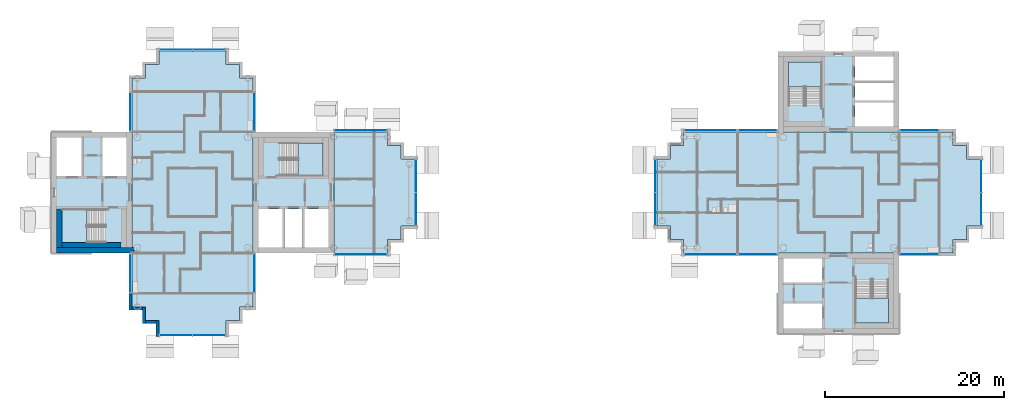
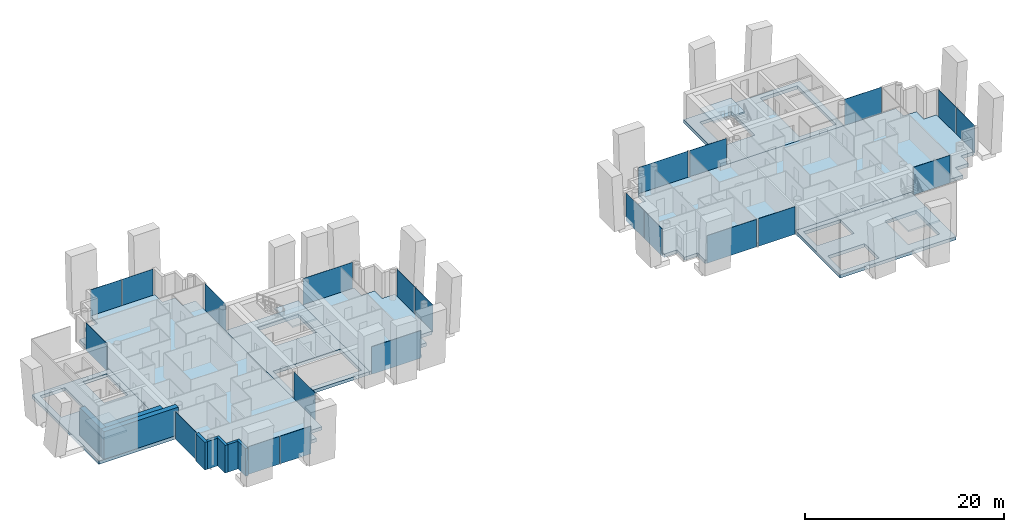
# One storey, part 5 of 18: 22 plates, 11 slabs, 8 walls, 21 elements without a shape of their own.
"""IFC4 building model written with IfcOpenShell, lengths in metres."""

from ifc_helpers import new_model, si_unit, direction, frame, frame_2d, origin, origin_2d, place, context, subcontext, project, spatial, polyline, rectangle, outline, extrude, material, layer, layer_set, type_object, element, aggregate, save


model = new_model("IFC4")

# Units and contexts
model_context = context("Model", 3, precision=1e-05, world=origin(), true_north=direction((0.0, 1.0)))
body_context = subcontext(model_context, "Body", "Model", "MODEL_VIEW")
ifc_project = project(units=[si_unit("LENGTHUNIT", "METRE"), si_unit("AREAUNIT", "SQUARE_METRE"), si_unit("VOLUMEUNIT", "CUBIC_METRE"), si_unit("PLANEANGLEUNIT", "RADIAN"), si_unit("MASSUNIT", "GRAM", prefix="KILO")], contexts=[model_context])

# Site, building, storey
site_placement = place(None, origin())
site = spatial("IfcSite", under=ifc_project, at=site_placement, CompositionType="ELEMENT")
building_placement = place(site_placement, origin())
building = spatial("IfcBuilding", under=site, at=building_placement, Name="Ipe Terrace Towers", CompositionType="ELEMENT")
storey_placement = place(building_placement, frame((0.0, 0.0, 223.199951171875)))
storey = spatial("IfcBuildingStorey", under=building, at=storey_placement, Name="L62", CompositionType="ELEMENT", Elevation=223.199951171875)

# Slabs
ifc_material_1 = material(Name="Concrete C30/37", Category="concrete")
ifc_layer_1 = layer(ifc_material_1, 0.39990234375)
ifc_layer_set_1 = layer_set([ifc_layer_1], Name="CORE FLOOR SLAB 400 C30-37")
slab_type_1 = type_object("IfcSlabType", Name="CORE FLOOR SLAB 400 C30-37", PredefinedType="FLOOR", material=ifc_layer_set_1)
slab_1_placement = place(storey_placement, frame((0.0, 0.0, -0.39990234375)))
element("IfcSlab", 1, at=slab_1_placement, inside=storey, type_object=slab_type_1, Name="Core floor T1-C1", PredefinedType="FLOOR", context=body_context, shape_type="SweptSolid", body=[
    extrude(outline(polyline([(-29.25, -6.75), (-29.25, 6.75), (-20.25, 6.75), (-20.25, -6.75), (-29.25, -6.75)]), holes=[polyline([(-28.64990234375, -6.14990234375), (-20.85009765625, -6.14990234375), (-20.85009765625, -1.85009765625), (-28.64990234375, -1.85009765625), (-28.64990234375, -6.14990234375)]), polyline([(-26.199951171875, 5.550048828125), (-26.199951171875, 1.89990234375), (-21.449951171875, 1.89990234375), (-21.449951171875, 5.550048828125), (-26.199951171875, 5.550048828125)])]), origin(), (0.0, 0.0, 1.0), 0.39990234375),
])
slab_2_placement = place(storey_placement, frame((0.0, 0.0, -0.39990234375)))
element("IfcSlab", 2, at=slab_2_placement, inside=storey, type_object=slab_type_1, Name="Core floor T1-C2", PredefinedType="FLOOR", context=body_context, shape_type="SweptSolid", body=[
    extrude(outline(polyline([(-51.75, -6.75), (-51.75, 6.75), (-42.75, 6.75), (-42.75, -6.75), (-51.75, -6.75)]), holes=[polyline([(-45.800048828125, -1.89990234375), (-50.550048828125, -1.89990234375), (-50.550048828125, -5.550048828125), (-45.800048828125, -5.550048828125), (-45.800048828125, -1.89990234375)]), polyline([(-48.25, 1.85009765625), (-48.25, 6.14990234375), (-51.14990234375, 6.14990234375), (-51.14990234375, 1.85009765625), (-48.25, 1.85009765625)]), polyline([(-43.35009765625, 1.85009765625), (-43.35009765625, 6.14990234375), (-46.14990234375, 6.14990234375), (-46.14990234375, 1.85009765625), (-43.35009765625, 1.85009765625)])]), origin(), (0.0, 0.0, 1.0), 0.39990234375),
])
slab_3_placement = place(storey_placement, frame((0.0, 0.0, -0.39990234375)))
element("IfcSlab", 3, at=slab_3_placement, inside=storey, type_object=slab_type_1, Name="Core floor T2-C1", PredefinedType="FLOOR", context=body_context, shape_type="SweptSolid", body=[
    extrude(outline(polyline([(29.25, 6.75), (29.25, 15.75), (42.75, 15.75), (42.75, 6.75), (29.25, 6.75)]), holes=[polyline([(42.14990234375, 7.35009765625), (42.14990234375, 15.14990234375), (37.85009765625, 15.14990234375), (37.85009765625, 7.35009765625), (42.14990234375, 7.35009765625)]), polyline([(30.449951171875, 9.800048828125), (34.10009765625, 9.800048828125), (34.10009765625, 14.550048828125), (30.449951171875, 14.550048828125), (30.449951171875, 9.800048828125)])]), origin(), (0.0, 0.0, 1.0), 0.39990234375),
])
slab_4_placement = place(storey_placement, frame((0.0, 0.0, -0.39990234375)))
element("IfcSlab", 4, at=slab_4_placement, inside=storey, type_object=slab_type_1, Name="Core floor T2-C2", PredefinedType="FLOOR", context=body_context, shape_type="SweptSolid", body=[
    extrude(outline(polyline([(29.25, -15.75), (29.25, -6.75), (42.75, -6.75), (42.75, -15.75), (29.25, -15.75)]), holes=[polyline([(29.85009765625, -12.25), (29.85009765625, -15.14990234375), (34.14990234375, -15.14990234375), (34.14990234375, -12.25), (29.85009765625, -12.25)]), polyline([(41.550048828125, -9.800048828125), (37.89990234375, -9.800048828125), (37.89990234375, -14.550048828125), (41.550048828125, -14.550048828125), (41.550048828125, -9.800048828125)]), polyline([(34.14990234375, -7.35009765625), (29.85009765625, -7.35009765625), (29.85009765625, -10.14990234375), (34.14990234375, -10.14990234375), (34.14990234375, -7.35009765625)])]), origin(), (0.0, 0.0, 1.0), 0.39990234375),
])

# Stair, slab
ifc_material_2 = material(Name="Concrete C30/37", Category="concrete")
stair_type = type_object("IfcStairType", Name="Protected exit stair", PredefinedType="HALF_TURN_STAIR", material=ifc_material_2)
stair_1_placement = place(storey_placement, origin())
stair_1 = element("IfcStair", 5, at=stair_1_placement, inside=storey, type_object=stair_type, Name="L62 Exit stair T1-C1", PredefinedType="HALF_TURN_STAIR")
ifc_material_3 = material(Name="Concrete C30/37", Category="concrete")
ifc_layer_2 = layer(ifc_material_3, 0.199951171875)
ifc_layer_set_2 = layer_set([ifc_layer_2], Name="Exit stair landing 200")
slab_type_2 = type_object("IfcSlabType", Name="Exit stair landing 200", PredefinedType="LANDING", material=ifc_layer_set_2)
slab_5_placement = place(storey_placement, frame((0.0, 0.0, 1.5)))
slab_5 = element("IfcSlab", 6, at=slab_5_placement, type_object=slab_type_2, Name="T1-ST1 landing 1", PredefinedType="LANDING", context=body_context, shape_type="SweptSolid", body=[
    extrude(outline(polyline([(-24.219970703125, 1.89990234375), (-21.449951171875, 1.89990234375), (-21.449951171875, 5.550048828125), (-24.219970703125, 5.550048828125), (-24.219970703125, 1.89990234375)])), origin(), (0.0, 0.0, 1.0), 0.199951171875),
])
aggregate(stair_1, [slab_5])

stair_2_placement = place(storey_placement, origin())
stair_2 = element("IfcStair", 7, at=stair_2_placement, inside=storey, type_object=stair_type, Name="L62 Exit stair T1-C2", PredefinedType="HALF_TURN_STAIR")
slab_6_placement = place(storey_placement, frame((0.0, 0.0, 1.5)))
slab_6 = element("IfcSlab", 8, at=slab_6_placement, type_object=slab_type_2, Name="T1-ST2 landing 1", PredefinedType="LANDING", context=body_context, shape_type="SweptSolid", body=[
    extrude(outline(polyline([(-47.780029296875, -1.89990234375), (-50.550048828125, -1.89990234375), (-50.550048828125, -5.550048828125), (-47.780029296875, -5.550048828125), (-47.780029296875, -1.89990234375)])), origin(), (0.0, 0.0, 1.0), 0.199951171875),
])
aggregate(stair_2, [slab_6])

stair_3_placement = place(storey_placement, origin())
stair_3 = element("IfcStair", 9, at=stair_3_placement, inside=storey, type_object=stair_type, Name="L62 Exit stair T2-C1", PredefinedType="HALF_TURN_STAIR")
slab_7_placement = place(storey_placement, frame((0.0, 0.0, 1.5)))
slab_7 = element("IfcSlab", 10, at=slab_7_placement, type_object=slab_type_2, Name="T2-ST1 landing 1", PredefinedType="LANDING", context=body_context, shape_type="SweptSolid", body=[
    extrude(outline(polyline([(34.10009765625, 11.780029296875), (34.10009765625, 14.550048828125), (30.449951171875, 14.550048828125), (30.449951171875, 11.780029296875), (34.10009765625, 11.780029296875)])), origin(), (0.0, 0.0, 1.0), 0.199951171875),
])
aggregate(stair_3, [slab_7])

stair_4_placement = place(storey_placement, origin())
stair_4 = element("IfcStair", 11, at=stair_4_placement, inside=storey, type_object=stair_type, Name="L62 Exit stair T2-C2", PredefinedType="HALF_TURN_STAIR")
slab_8_placement = place(storey_placement, frame((0.0, 0.0, 1.5)))
slab_8 = element("IfcSlab", 12, at=slab_8_placement, type_object=slab_type_2, Name="T2-ST2 landing 1", PredefinedType="LANDING", context=body_context, shape_type="SweptSolid", body=[
    extrude(outline(polyline([(37.89990234375, -11.780029296875), (37.89990234375, -14.550048828125), (41.550048828125, -14.550048828125), (41.550048828125, -11.780029296875), (37.89990234375, -11.780029296875)])), origin(), (0.0, 0.0, 1.0), 0.199951171875),
])
aggregate(stair_4, [slab_8])

# Slabs
ifc_material_4 = material(Name="Concrete C40/50", Category="concrete")
ifc_layer_3 = layer(ifc_material_4, 0.39990234375)
ifc_layer_set_3 = layer_set([ifc_layer_3], Name="FLAT PLATE SLAB 400 C40-50")
slab_type_3 = type_object("IfcSlabType", Name="FLAT PLATE SLAB 400 C40-50", PredefinedType="FLOOR", material=ifc_layer_set_3)
slab_9_placement = place(storey_placement, frame((0.0, 0.0, -0.39990234375)))
element("IfcSlab", 13, at=slab_9_placement, inside=storey, type_object=slab_type_3, Name="Slab T1-FS-Z41", PredefinedType="FLOOR", context=body_context, shape_type="SweptSolid", body=[
    extrude(outline(polyline([(-30.75, -12.75), (-30.75, -14.25), (-32.25, -14.25), (-32.25, -15.75), (-39.75, -15.75), (-39.75, -14.25), (-41.25, -14.25), (-41.25, -12.75), (-42.75, -12.75), (-42.75, -6.75), (-42.75, 6.75), (-42.75, 12.75), (-41.25, 12.75), (-41.25, 14.25), (-39.75, 14.25), (-39.75, 15.75), (-32.25, 15.75), (-32.25, 14.25), (-30.75, 14.25), (-30.75, 12.75), (-29.25, 12.75), (-29.25, 6.75), (-29.25, -6.75), (-29.25, -12.75), (-30.75, -12.75)])), origin(), (0.0, 0.0, 1.0), 0.39990234375),
])
slab_10_placement = place(storey_placement, frame((0.0, 0.0, -0.39990234375)))
element("IfcSlab", 14, at=slab_10_placement, inside=storey, type_object=slab_type_3, Name="Slab T1-FS-Z42", PredefinedType="FLOOR", context=body_context, shape_type="SweptSolid", body=[
    extrude(outline(polyline([(-14.25, 5.25), (-12.75, 5.25), (-12.75, 3.75), (-11.25, 3.75), (-11.25, -3.75), (-12.75, -3.75), (-12.75, -5.25), (-14.25, -5.25), (-14.25, -6.75), (-20.25, -6.75), (-20.25, 6.75), (-14.25, 6.75), (-14.25, 5.25)])), origin(), (0.0, 0.0, 1.0), 0.39990234375),
])
slab_11_placement = place(storey_placement, frame((0.0, 0.0, -0.39990234375)))
element("IfcSlab", 15, at=slab_11_placement, inside=storey, type_object=slab_type_3, Name="Slab T2-FS-Z41", PredefinedType="FLOOR", context=body_context, shape_type="SweptSolid", body=[
    extrude(outline(polyline([(48.75, 5.25), (50.25, 5.25), (50.25, 3.75), (51.75, 3.75), (51.75, -3.75), (50.25, -3.75), (50.25, -5.25), (48.75, -5.25), (48.75, -6.75), (42.75, -6.75), (29.25, -6.75), (18.75, -6.75), (18.75, -5.25), (17.25, -5.25), (17.25, -3.75), (15.75, -3.75), (15.75, 3.75), (17.25, 3.75), (17.25, 5.25), (18.75, 5.25), (18.75, 6.75), (29.25, 6.75), (42.75, 6.75), (48.75, 6.75), (48.75, 5.25)])), origin(), (0.0, 0.0, 1.0), 0.39990234375),
])

# Curtain wall, plate
ifc_material_5 = material(Name="Aluminium alloy 6063-T6", Category="aluminium")
ifc_layer_4 = layer(ifc_material_5, 0.320068359375)
ifc_layer_set_4 = layer_set([ifc_layer_4], Name="TOWER UNITISED CURTAIN WALL")
curtain_wall_type = type_object("IfcCurtainWallType", Name="TOWER UNITISED CURTAIN WALL", PredefinedType="NOTDEFINED", material=ifc_layer_set_4)
curtain_wall_1_placement = place(storey_placement, origin())
curtain_wall_1 = element("IfcCurtainWall", 16, at=curtain_wall_1_placement, inside=storey, type_object=curtain_wall_type, Name="T1-CW-L62-02a curtain wall", PredefinedType="NOTDEFINED")
ifc_material_6 = material(Name="Glass, clear laminated", Category="glass")
ifc_layer_5 = layer(ifc_material_6, 0.031982421875)
ifc_layer_set_5 = layer_set([ifc_layer_5], Name="TOWER UNITISED GLASS PANEL 32")
plate_type = type_object("IfcPlateType", Name="TOWER UNITISED GLASS PANEL 32", PredefinedType="CURTAIN_PANEL", material=ifc_layer_set_5)
plate_1_placement = place(storey_placement, frame((-42.909912109375, -9.0, -0.2998046875), z_axis=(0.0, 0.0, 1.0), x_axis=(0.0, -1.0, 0.0)))
plate_1 = element("IfcPlate", 17, at=plate_1_placement, type_object=plate_type, Name="T1-CW-L62-02a panel 1", PredefinedType="CURTAIN_PANEL", context=body_context, shape_type="SweptSolid", body=[
    extrude(rectangle(XDim=4.260009765625, YDim=0.031982421875, at=origin_2d()), origin(), (0.0, 0.0, 1.0), 3.39990234375),
])
aggregate(curtain_wall_1, [plate_1])

# Curtain wall, plates
curtain_wall_2_placement = place(storey_placement, origin())
curtain_wall_2 = element("IfcCurtainWall", 18, at=curtain_wall_2_placement, inside=storey, type_object=curtain_wall_type, Name="T1-CW-L62-08a curtain wall", PredefinedType="NOTDEFINED")
plate_2_placement = place(storey_placement, frame((-37.831298828125, -15.909912109375, -0.2998046875), z_axis=(0.0, 0.0, 1.0), x_axis=(1.0, 0.0, 0.0)))
plate_2 = element("IfcPlate", 19, at=plate_2_placement, type_object=plate_type, Name="T1-CW-L62-08a panel 1", PredefinedType="CURTAIN_PANEL", context=body_context, shape_type="SweptSolid", body=[
    extrude(rectangle(XDim=3.597412109375, YDim=0.031982421875, at=origin_2d()), origin(), (0.0, 0.0, 1.0), 3.39990234375),
])
plate_3_placement = place(storey_placement, frame((-34.168701171875, -15.909912109375, -0.2998046875), z_axis=(0.0, 0.0, 1.0), x_axis=(1.0, 0.0, 0.0)))
plate_3 = element("IfcPlate", 20, at=plate_3_placement, type_object=plate_type, Name="T1-CW-L62-08a panel 2", PredefinedType="CURTAIN_PANEL", context=body_context, shape_type="SweptSolid", body=[
    extrude(rectangle(XDim=3.597412109375, YDim=0.031982421875, at=origin_2d()), origin(), (0.0, 0.0, 1.0), 3.39990234375),
])
aggregate(curtain_wall_2, [plate_2, plate_3])

# Curtain wall, plate
curtain_wall_3_placement = place(storey_placement, origin())
curtain_wall_3 = element("IfcCurtainWall", 21, at=curtain_wall_3_placement, inside=storey, type_object=curtain_wall_type, Name="T1-CW-L62-14a curtain wall", PredefinedType="NOTDEFINED")
plate_4_placement = place(storey_placement, frame((-29.090087890625, -9.0, -0.2998046875), z_axis=(0.0, 0.0, 1.0), x_axis=(0.0, 1.0, 0.0)))
plate_4 = element("IfcPlate", 22, at=plate_4_placement, type_object=plate_type, Name="T1-CW-L62-14a panel 1", PredefinedType="CURTAIN_PANEL", context=body_context, shape_type="SweptSolid", body=[
    extrude(rectangle(XDim=4.260009765625, YDim=0.031982421875, at=origin_2d()), origin(), (0.0, 0.0, 1.0), 3.39990234375),
])
aggregate(curtain_wall_3, [plate_4])

curtain_wall_4_placement = place(storey_placement, origin())
curtain_wall_4 = element("IfcCurtainWall", 23, at=curtain_wall_4_placement, inside=storey, type_object=curtain_wall_type, Name="T1-CW-L62-16b curtain wall", PredefinedType="NOTDEFINED")
plate_5_placement = place(storey_placement, frame((-17.24951171875, -6.909912109375, -0.2998046875), z_axis=(0.0, 0.0, 1.0), x_axis=(1.0, 0.0, 0.0)))
plate_5 = element("IfcPlate", 24, at=plate_5_placement, type_object=plate_type, Name="T1-CW-L62-16b panel 1", PredefinedType="CURTAIN_PANEL", context=body_context, shape_type="SweptSolid", body=[
    extrude(rectangle(XDim=5.759033203125, YDim=0.031982421875, at=origin_2d()), origin(), (0.0, 0.0, 1.0), 3.39990234375),
])
aggregate(curtain_wall_4, [plate_5])

# Curtain wall, plates
curtain_wall_5_placement = place(storey_placement, origin())
curtain_wall_5 = element("IfcCurtainWall", 25, at=curtain_wall_5_placement, inside=storey, type_object=curtain_wall_type, Name="T1-CW-L62-21a curtain wall", PredefinedType="NOTDEFINED")
plate_6_placement = place(storey_placement, frame((-11.090087890625, -1.831298828125, -0.2998046875), z_axis=(0.0, 0.0, 1.0), x_axis=(0.0, 1.0, 0.0)))
plate_6 = element("IfcPlate", 26, at=plate_6_placement, type_object=plate_type, Name="T1-CW-L62-21a panel 1", PredefinedType="CURTAIN_PANEL", context=body_context, shape_type="SweptSolid", body=[
    extrude(rectangle(XDim=3.597412109375, YDim=0.031982421875, at=origin_2d()), origin(), (0.0, 0.0, 1.0), 3.39990234375),
])
plate_7_placement = place(storey_placement, frame((-11.090087890625, 1.831298828125, -0.2998046875), z_axis=(0.0, 0.0, 1.0), x_axis=(0.0, 1.0, 0.0)))
plate_7 = element("IfcPlate", 27, at=plate_7_placement, type_object=plate_type, Name="T1-CW-L62-21a panel 2", PredefinedType="CURTAIN_PANEL", context=body_context, shape_type="SweptSolid", body=[
    extrude(rectangle(XDim=3.597412109375, YDim=0.031982421875, at=origin_2d()), origin(), (0.0, 0.0, 1.0), 3.39990234375),
])
aggregate(curtain_wall_5, [plate_6, plate_7])

# Curtain wall, plate
curtain_wall_6_placement = place(storey_placement, origin())
curtain_wall_6 = element("IfcCurtainWall", 28, at=curtain_wall_6_placement, inside=storey, type_object=curtain_wall_type, Name="T1-CW-L62-26a curtain wall", PredefinedType="NOTDEFINED")
plate_8_placement = place(storey_placement, frame((-17.24951171875, 6.909912109375, -0.2998046875), z_axis=(0.0, 0.0, 1.0), x_axis=(-1.0, 0.0, 0.0)))
plate_8 = element("IfcPlate", 29, at=plate_8_placement, type_object=plate_type, Name="T1-CW-L62-26a panel 1", PredefinedType="CURTAIN_PANEL", context=body_context, shape_type="SweptSolid", body=[
    extrude(rectangle(XDim=5.759033203125, YDim=0.031982421875, at=origin_2d()), origin(), (0.0, 0.0, 1.0), 3.39990234375),
])
aggregate(curtain_wall_6, [plate_8])

curtain_wall_7_placement = place(storey_placement, origin())
curtain_wall_7 = element("IfcCurtainWall", 30, at=curtain_wall_7_placement, inside=storey, type_object=curtain_wall_type, Name="T1-CW-L62-28a curtain wall", PredefinedType="NOTDEFINED")
plate_9_placement = place(storey_placement, frame((-29.090087890625, 9.0, -0.2998046875), z_axis=(0.0, 0.0, 1.0), x_axis=(0.0, 1.0, 0.0)))
plate_9 = element("IfcPlate", 31, at=plate_9_placement, type_object=plate_type, Name="T1-CW-L62-28a panel 1", PredefinedType="CURTAIN_PANEL", context=body_context, shape_type="SweptSolid", body=[
    extrude(rectangle(XDim=4.260009765625, YDim=0.031982421875, at=origin_2d()), origin(), (0.0, 0.0, 1.0), 3.39990234375),
])
aggregate(curtain_wall_7, [plate_9])

# Curtain wall, plates
curtain_wall_8_placement = place(storey_placement, origin())
curtain_wall_8 = element("IfcCurtainWall", 32, at=curtain_wall_8_placement, inside=storey, type_object=curtain_wall_type, Name="T1-CW-L62-34a curtain wall", PredefinedType="NOTDEFINED")
plate_10_placement = place(storey_placement, frame((-34.168701171875, 15.909912109375, -0.2998046875), z_axis=(0.0, 0.0, 1.0), x_axis=(-1.0, 0.0, 0.0)))
plate_10 = element("IfcPlate", 33, at=plate_10_placement, type_object=plate_type, Name="T1-CW-L62-34a panel 1", PredefinedType="CURTAIN_PANEL", context=body_context, shape_type="SweptSolid", body=[
    extrude(rectangle(XDim=3.597412109375, YDim=0.031982421875, at=origin_2d()), origin(), (0.0, 0.0, 1.0), 3.39990234375),
])
plate_11_placement = place(storey_placement, frame((-37.831298828125, 15.909912109375, -0.2998046875), z_axis=(0.0, 0.0, 1.0), x_axis=(-1.0, 0.0, 0.0)))
plate_11 = element("IfcPlate", 34, at=plate_11_placement, type_object=plate_type, Name="T1-CW-L62-34a panel 2", PredefinedType="CURTAIN_PANEL", context=body_context, shape_type="SweptSolid", body=[
    extrude(rectangle(XDim=3.597412109375, YDim=0.031982421875, at=origin_2d()), origin(), (0.0, 0.0, 1.0), 3.39990234375),
])
aggregate(curtain_wall_8, [plate_10, plate_11])

# Curtain wall, plate
curtain_wall_9_placement = place(storey_placement, origin())
curtain_wall_9 = element("IfcCurtainWall", 35, at=curtain_wall_9_placement, inside=storey, type_object=curtain_wall_type, Name="T1-CW-L62-40a curtain wall", PredefinedType="NOTDEFINED")
plate_12_placement = place(storey_placement, frame((-42.909912109375, 9.0, -0.2998046875), z_axis=(0.0, 0.0, 1.0), x_axis=(0.0, -1.0, 0.0)))
plate_12 = element("IfcPlate", 36, at=plate_12_placement, type_object=plate_type, Name="T1-CW-L62-40a panel 1", PredefinedType="CURTAIN_PANEL", context=body_context, shape_type="SweptSolid", body=[
    extrude(rectangle(XDim=4.260009765625, YDim=0.031982421875, at=origin_2d()), origin(), (0.0, 0.0, 1.0), 3.39990234375),
])
aggregate(curtain_wall_9, [plate_12])

curtain_wall_10_placement = place(storey_placement, origin())
curtain_wall_10 = element("IfcCurtainWall", 37, at=curtain_wall_10_placement, inside=storey, type_object=curtain_wall_type, Name="T2-CW-L62-02a curtain wall", PredefinedType="NOTDEFINED")
plate_13_placement = place(storey_placement, frame((45.0, -6.909912109375, -0.2998046875), z_axis=(0.0, 0.0, 1.0), x_axis=(1.0, 0.0, 0.0)))
plate_13 = element("IfcPlate", 38, at=plate_13_placement, type_object=plate_type, Name="T2-CW-L62-02a panel 1", PredefinedType="CURTAIN_PANEL", context=body_context, shape_type="SweptSolid", body=[
    extrude(rectangle(XDim=4.260009765625, YDim=0.031982421875, at=origin_2d()), origin(), (0.0, 0.0, 1.0), 3.39990234375),
])
aggregate(curtain_wall_10, [plate_13])

# Curtain wall, plates
curtain_wall_11_placement = place(storey_placement, origin())
curtain_wall_11 = element("IfcCurtainWall", 39, at=curtain_wall_11_placement, inside=storey, type_object=curtain_wall_type, Name="T2-CW-L62-08a curtain wall", PredefinedType="NOTDEFINED")
plate_14_placement = place(storey_placement, frame((51.909912109375, -1.831298828125, -0.2998046875), z_axis=(0.0, 0.0, 1.0), x_axis=(0.0, 1.0, 0.0)))
plate_14 = element("IfcPlate", 40, at=plate_14_placement, type_object=plate_type, Name="T2-CW-L62-08a panel 1", PredefinedType="CURTAIN_PANEL", context=body_context, shape_type="SweptSolid", body=[
    extrude(rectangle(XDim=3.597412109375, YDim=0.031982421875, at=origin_2d()), origin(), (0.0, 0.0, 1.0), 3.39990234375),
])
plate_15_placement = place(storey_placement, frame((51.909912109375, 1.831298828125, -0.2998046875), z_axis=(0.0, 0.0, 1.0), x_axis=(0.0, 1.0, 0.0)))
plate_15 = element("IfcPlate", 41, at=plate_15_placement, type_object=plate_type, Name="T2-CW-L62-08a panel 2", PredefinedType="CURTAIN_PANEL", context=body_context, shape_type="SweptSolid", body=[
    extrude(rectangle(XDim=3.597412109375, YDim=0.031982421875, at=origin_2d()), origin(), (0.0, 0.0, 1.0), 3.39990234375),
])
aggregate(curtain_wall_11, [plate_14, plate_15])

# Curtain wall, plate
curtain_wall_12_placement = place(storey_placement, origin())
curtain_wall_12 = element("IfcCurtainWall", 42, at=curtain_wall_12_placement, inside=storey, type_object=curtain_wall_type, Name="T2-CW-L62-14a curtain wall", PredefinedType="NOTDEFINED")
plate_16_placement = place(storey_placement, frame((45.0, 6.909912109375, -0.2998046875), z_axis=(0.0, 0.0, 1.0), x_axis=(-1.0, 0.0, 0.0)))
plate_16 = element("IfcPlate", 43, at=plate_16_placement, type_object=plate_type, Name="T2-CW-L62-14a panel 1", PredefinedType="CURTAIN_PANEL", context=body_context, shape_type="SweptSolid", body=[
    extrude(rectangle(XDim=4.260009765625, YDim=0.031982421875, at=origin_2d()), origin(), (0.0, 0.0, 1.0), 3.39990234375),
])
aggregate(curtain_wall_12, [plate_16])

curtain_wall_13_placement = place(storey_placement, origin())
curtain_wall_13 = element("IfcCurtainWall", 44, at=curtain_wall_13_placement, inside=storey, type_object=curtain_wall_type, Name="T2-CW-L62-20a curtain wall", PredefinedType="NOTDEFINED")
plate_17_placement = place(storey_placement, frame((27.0, 6.909912109375, -0.2998046875), z_axis=(0.0, 0.0, 1.0), x_axis=(-1.0, 0.0, 0.0)))
plate_17 = element("IfcPlate", 45, at=plate_17_placement, type_object=plate_type, Name="T2-CW-L62-20a panel 1", PredefinedType="CURTAIN_PANEL", context=body_context, shape_type="SweptSolid", body=[
    extrude(rectangle(XDim=4.260009765625, YDim=0.031982421875, at=origin_2d()), origin(), (0.0, 0.0, 1.0), 3.39990234375),
])
aggregate(curtain_wall_13, [plate_17])

curtain_wall_14_placement = place(storey_placement, origin())
curtain_wall_14 = element("IfcCurtainWall", 46, at=curtain_wall_14_placement, inside=storey, type_object=curtain_wall_type, Name="T2-CW-L62-21a curtain wall", PredefinedType="NOTDEFINED")
plate_18_placement = place(storey_placement, frame((21.75, 6.909912109375, -0.2998046875), z_axis=(0.0, 0.0, 1.0), x_axis=(-1.0, 0.0, 0.0)))
plate_18 = element("IfcPlate", 47, at=plate_18_placement, type_object=plate_type, Name="T2-CW-L62-21a panel 1", PredefinedType="CURTAIN_PANEL", context=body_context, shape_type="SweptSolid", body=[
    extrude(rectangle(XDim=5.760009765625, YDim=0.031982421875, at=origin_2d()), origin(), (0.0, 0.0, 1.0), 3.39990234375),
])
aggregate(curtain_wall_14, [plate_18])

# Curtain wall, plates
curtain_wall_15_placement = place(storey_placement, origin())
curtain_wall_15 = element("IfcCurtainWall", 48, at=curtain_wall_15_placement, inside=storey, type_object=curtain_wall_type, Name="T2-CW-L62-26a curtain wall", PredefinedType="NOTDEFINED")
plate_19_placement = place(storey_placement, frame((15.590087890625, 1.831298828125, -0.2998046875), z_axis=(0.0, 0.0, 1.0), x_axis=(0.0, -1.0, 0.0)))
plate_19 = element("IfcPlate", 49, at=plate_19_placement, type_object=plate_type, Name="T2-CW-L62-26a panel 1", PredefinedType="CURTAIN_PANEL", context=body_context, shape_type="SweptSolid", body=[
    extrude(rectangle(XDim=3.597412109375, YDim=0.031982421875, at=origin_2d()), origin(), (0.0, 0.0, 1.0), 3.39990234375),
])
plate_20_placement = place(storey_placement, frame((15.590087890625, -1.831298828125, -0.2998046875), z_axis=(0.0, 0.0, 1.0), x_axis=(0.0, -1.0, 0.0)))
plate_20 = element("IfcPlate", 50, at=plate_20_placement, type_object=plate_type, Name="T2-CW-L62-26a panel 2", PredefinedType="CURTAIN_PANEL", context=body_context, shape_type="SweptSolid", body=[
    extrude(rectangle(XDim=3.597412109375, YDim=0.031982421875, at=origin_2d()), origin(), (0.0, 0.0, 1.0), 3.39990234375),
])
aggregate(curtain_wall_15, [plate_19, plate_20])

# Curtain wall, plate
curtain_wall_16_placement = place(storey_placement, origin())
curtain_wall_16 = element("IfcCurtainWall", 51, at=curtain_wall_16_placement, inside=storey, type_object=curtain_wall_type, Name="T2-CW-L62-31a curtain wall", PredefinedType="NOTDEFINED")
plate_21_placement = place(storey_placement, frame((21.75, -6.909912109375, -0.2998046875), z_axis=(0.0, 0.0, 1.0), x_axis=(1.0, 0.0, 0.0)))
plate_21 = element("IfcPlate", 52, at=plate_21_placement, type_object=plate_type, Name="T2-CW-L62-31a panel 1", PredefinedType="CURTAIN_PANEL", context=body_context, shape_type="SweptSolid", body=[
    extrude(rectangle(XDim=5.760009765625, YDim=0.031982421875, at=origin_2d()), origin(), (0.0, 0.0, 1.0), 3.39990234375),
])
aggregate(curtain_wall_16, [plate_21])

curtain_wall_17_placement = place(storey_placement, origin())
curtain_wall_17 = element("IfcCurtainWall", 53, at=curtain_wall_17_placement, inside=storey, type_object=curtain_wall_type, Name="T2-CW-L62-32a curtain wall", PredefinedType="NOTDEFINED")
plate_22_placement = place(storey_placement, frame((27.0, -6.909912109375, -0.2998046875), z_axis=(0.0, 0.0, 1.0), x_axis=(1.0, 0.0, 0.0)))
plate_22 = element("IfcPlate", 54, at=plate_22_placement, type_object=plate_type, Name="T2-CW-L62-32a panel 1", PredefinedType="CURTAIN_PANEL", context=body_context, shape_type="SweptSolid", body=[
    extrude(rectangle(XDim=4.260009765625, YDim=0.031982421875, at=origin_2d()), origin(), (0.0, 0.0, 1.0), 3.39990234375),
])
aggregate(curtain_wall_17, [plate_22])

# Walls
ifc_material_7 = material(Name="Concrete C40/50 with buff precast cladding", Category="concrete")
ifc_layer_6 = layer(ifc_material_7, 0.320068359375)
ifc_layer_set_6 = layer_set([ifc_layer_6], Name="BUFF CLADDING WALL 320")
wall_type_1 = type_object("IfcWallType", Name="BUFF CLADDING WALL 320", PredefinedType="STANDARD", material=ifc_layer_set_6)
wall_1_placement = place(storey_placement, frame((-42.909912109375, -11.25, -0.300048828125), z_axis=(0.0, 0.0, 1.0), x_axis=(0.0, -1.0, 0.0)))
element("IfcWall", 55, at=wall_1_placement, inside=storey, type_object=wall_type_1, Name="T1-W-L62-03a wall", PredefinedType="STANDARD", context=body_context, shape_type="SweptSolid", body=[
    extrude(rectangle(XDim=1.820068359375, YDim=0.320068359375, at=frame_2d((0.91015625, 0.0))), origin(), (0.0, 0.0, 1.0), 3.400146484375),
])
wall_2_placement = place(storey_placement, frame((-42.75, -12.909912109375, -0.300048828125), z_axis=(0.0, 0.0, 1.0), x_axis=(1.0, 0.0, 0.0)))
element("IfcWall", 56, at=wall_2_placement, inside=storey, type_object=wall_type_1, Name="T1-W-L62-04a wall", PredefinedType="STANDARD", context=body_context, shape_type="SweptSolid", body=[
    extrude(rectangle(XDim=1.179931640625, YDim=0.320068359375, at=frame_2d((0.58984375, 0.0))), origin(), (0.0, 0.0, 1.0), 3.400146484375),
])
wall_3_placement = place(storey_placement, frame((-41.409912109375, -12.75, -0.300048828125), z_axis=(0.0, 0.0, 1.0), x_axis=(0.0, -1.0, 0.0)))
element("IfcWall", 57, at=wall_3_placement, inside=storey, type_object=wall_type_1, Name="T1-W-L62-05a wall", PredefinedType="STANDARD", context=body_context, shape_type="SweptSolid", body=[
    extrude(rectangle(XDim=1.820068359375, YDim=0.320068359375, at=frame_2d((0.91015625, 0.0))), origin(), (0.0, 0.0, 1.0), 3.400146484375),
])
wall_4_placement = place(storey_placement, frame((-41.25, -14.409912109375, -0.300048828125), z_axis=(0.0, 0.0, 1.0), x_axis=(1.0, 0.0, 0.0)))
element("IfcWall", 58, at=wall_4_placement, inside=storey, type_object=wall_type_1, Name="T1-W-L62-06a wall", PredefinedType="STANDARD", context=body_context, shape_type="SweptSolid", body=[
    extrude(rectangle(XDim=1.179931640625, YDim=0.320068359375, at=frame_2d((0.58984375, 0.0))), origin(), (0.0, 0.0, 1.0), 3.400146484375),
])
wall_5_placement = place(storey_placement, frame((-39.909912109375, -14.25, -0.300048828125), z_axis=(0.0, 0.0, 1.0), x_axis=(0.0, -1.0, 0.0)))
element("IfcWall", 59, at=wall_5_placement, inside=storey, type_object=wall_type_1, Name="T1-W-L62-07a wall", PredefinedType="STANDARD", context=body_context, shape_type="SweptSolid", body=[
    extrude(rectangle(XDim=1.820068359375, YDim=0.320068359375, at=frame_2d((0.91015625, 0.0))), origin(), (0.0, 0.0, 1.0), 3.400146484375),
])
ifc_material_8 = material(Name="Concrete C40/50", Category="concrete")
ifc_layer_7 = layer(ifc_material_8, 0.60009765625)
ifc_layer_set_7 = layer_set([ifc_layer_7], Name="RW600 CORE INFILL WALL 600 C40-50")
wall_type_2 = type_object("IfcWallType", Name="RW600 CORE INFILL WALL 600 C40-50", PredefinedType="SHEAR", material=ifc_layer_set_7)
wall_6_placement = place(storey_placement, frame((-50.85009765625, -1.85009765625, 0.0), z_axis=(0.0, 0.0, 1.0), x_axis=(0.0, -1.0, 0.0)))
element("IfcWall", 60, at=wall_6_placement, inside=storey, type_object=wall_type_2, Name="Core infill wall T1-C2-far", PredefinedType="SHEAR", context=body_context, shape_type="SweptSolid", body=[
    extrude(rectangle(XDim=4.2998046875, YDim=0.60009765625, at=frame_2d((2.14990234375, 0.0))), origin(), (0.0, 0.0, 1.0), 3.400146484375),
])
wall_7_placement = place(storey_placement, frame((-43.949951171875, -5.85009765625, 0.0), z_axis=(0.0, 0.0, 1.0), x_axis=(-1.0, 0.0, 0.0)))
element("IfcWall", 61, at=wall_7_placement, inside=storey, type_object=wall_type_2, Name="Core infill wall T1-C2-back", PredefinedType="SHEAR", context=body_context, shape_type="SweptSolid", body=[
    extrude(rectangle(XDim=6.60009765625, YDim=0.60009765625, at=frame_2d((3.300048828125, 0.0))), origin(), (0.0, 0.0, 1.0), 3.400146484375),
])
ifc_material_9 = material(Name="Concrete C40/50", Category="concrete")
ifc_layer_8 = layer(ifc_material_9, 0.60009765625)
ifc_layer_set_8 = layer_set([ifc_layer_8], Name="RW600 CORE WALL 600 C40-50")
wall_type_3 = type_object("IfcWallType", Name="RW600 CORE WALL 600 C40-50", PredefinedType="SHEAR", material=ifc_layer_set_8)
wall_8_placement = place(storey_placement, frame((-51.14990234375, -6.449951171875, 0.0), z_axis=(0.0, 0.0, 1.0), x_axis=(1.0, 0.0, 0.0)))
element("IfcWall", 62, at=wall_8_placement, inside=storey, type_object=wall_type_3, Name="Core wall T1-C2-Z4-W01", PredefinedType="SHEAR", context=body_context, shape_type="SweptSolid", body=[
    extrude(rectangle(XDim=8.64794921875, YDim=0.60009765625, at=frame_2d((4.323974609375, 0.0))), origin(), (0.0, 0.0, 1.0), 3.400146484375),
])

save(model, "model.ifc")
